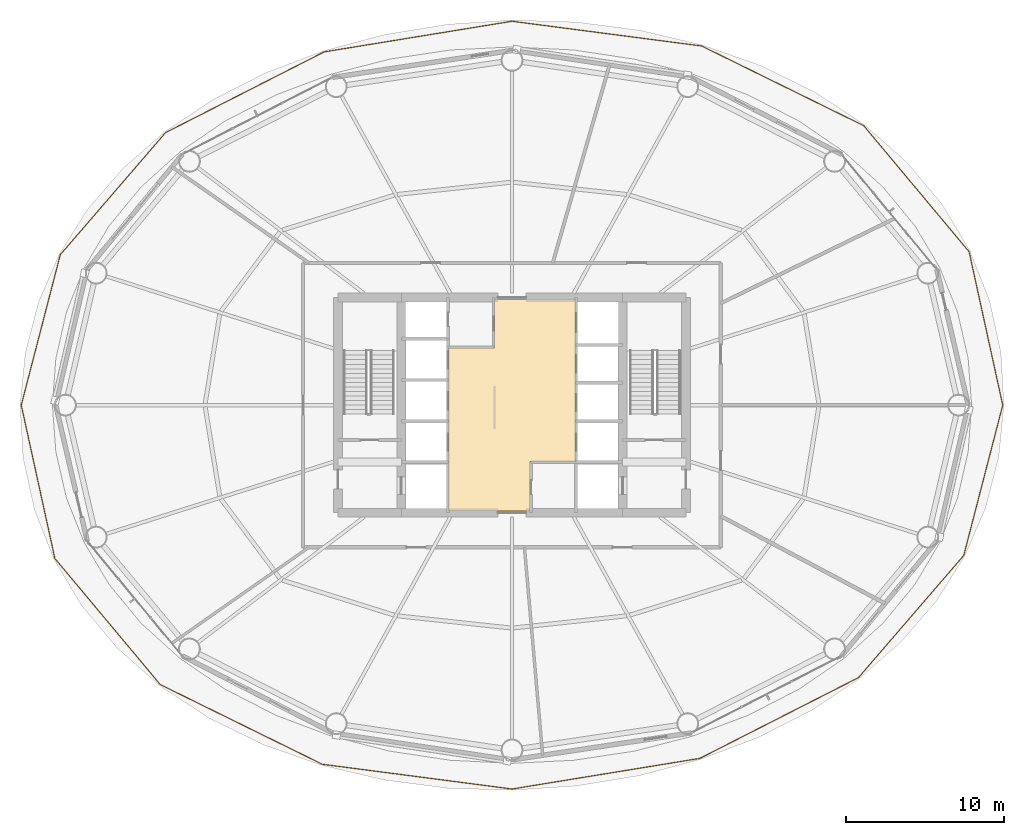
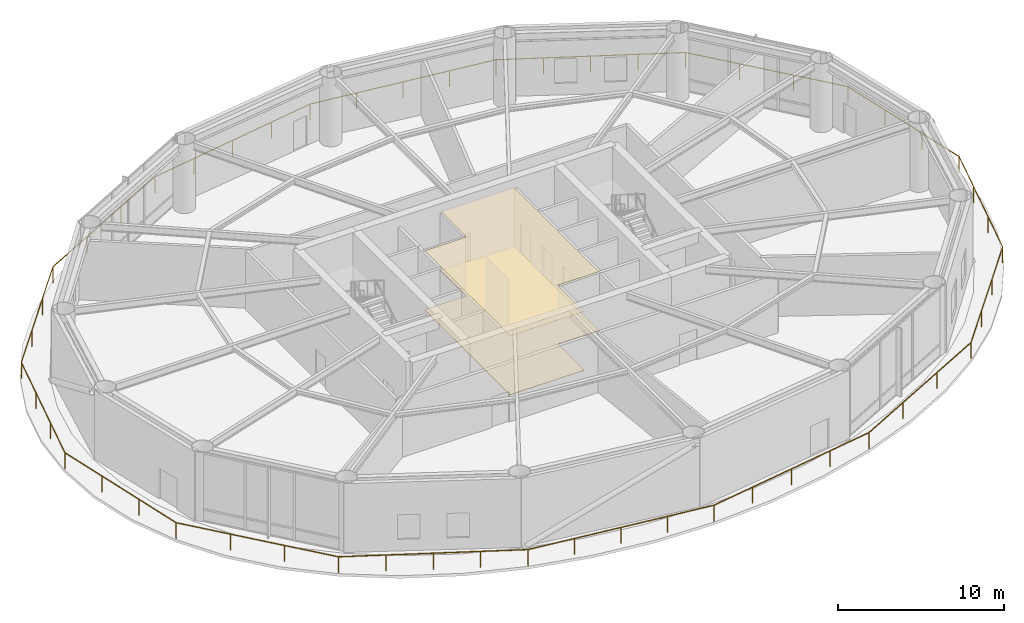
# One storey, part 24 of 25: 2 coverings, 1 railing.
"""IFC4 building model written with IfcOpenShell, lengths in metres."""

from ifc_helpers import new_model, si_unit, direction, frame, origin, origin_2d, place, context, subcontext, project, spatial, polyline, rectangle, outline, extrude, material, layer, layer_set, type_object, element, save


model = new_model("IFC4")

# Units and contexts
model_context = context("Model", 3, precision=1e-05, world=origin(), true_north=direction((0.0, 1.0)))
body_context = subcontext(model_context, "Body", "Model", "MODEL_VIEW")
ifc_project = project(units=[si_unit("LENGTHUNIT", "METRE"), si_unit("AREAUNIT", "SQUARE_METRE"), si_unit("VOLUMEUNIT", "CUBIC_METRE"), si_unit("PLANEANGLEUNIT", "RADIAN"), si_unit("MASSUNIT", "GRAM", prefix="KILO")], contexts=[model_context])

# Site, building, storey
site_placement = place(None, origin())
site = spatial("IfcSite", under=ifc_project, at=site_placement, CompositionType="ELEMENT")
building_placement = place(site_placement, origin())
building = spatial("IfcBuilding", under=site, at=building_placement, Name="Sarneth Arch Tower", CompositionType="ELEMENT")
storey_placement = place(building_placement, frame((0.0, 0.0, 134.39990234375)))
storey = spatial("IfcBuildingStorey", under=building, at=storey_placement, Name="L34", CompositionType="ELEMENT", Elevation=134.39990234375)

# Coverings
ifc_material_1 = material(Name="Perforated acoustic gypsum ceiling board")
ifc_layer_1 = layer(ifc_material_1, 0.02490234375)
ifc_layer_set_1 = layer_set([ifc_layer_1], Name="Perforated acoustic gypsum ceiling board")
covering_type_1 = type_object("IfcCoveringType", Name="COV-CEIL-GYP", PredefinedType="CEILING", material=ifc_layer_set_1)
covering_1_placement = place(storey_placement, frame((0.0, 0.0, 4.320068359375)))
element("IfcCovering", 1, at=covering_1_placement, inside=storey, type_object=covering_type_1, Name="L34 Lift lobby acoustic ceiling", PredefinedType="CEILING", context=body_context, shape_type="SweptSolid", body=[
    extrude(outline(polyline([(49.14990234375, 38.449951171875), (49.14990234375, 35.300048828125), (44.0, 35.300048828125), (44.0, 45.60009765625), (46.89990234375, 45.60009765625), (46.89990234375, 48.699951171875), (52.0, 48.699951171875), (52.0, 38.449951171875), (49.14990234375, 38.449951171875)])), origin(), (0.0, 0.0, 1.0), 0.030029296875),
])
ifc_material_2 = material(Name="Honed granite stone flooring", Category="masonry")
ifc_layer_2 = layer(ifc_material_2, 0.030029296875)
ifc_layer_set_2 = layer_set([ifc_layer_2], Name="Honed granite stone flooring")
covering_type_2 = type_object("IfcCoveringType", Name="COV-FLR-STONE", PredefinedType="FLOORING", material=ifc_layer_set_2)
covering_2_placement = place(storey_placement, origin())
element("IfcCovering", 2, at=covering_2_placement, inside=storey, type_object=covering_type_2, Name="L34 Lift lobby granite flooring", PredefinedType="FLOORING", context=body_context, shape_type="SweptSolid", body=[
    extrude(outline(polyline([(49.14990234375, 38.449951171875), (49.14990234375, 35.300048828125), (44.0, 35.300048828125), (44.0, 45.60009765625), (46.89990234375, 45.60009765625), (46.89990234375, 48.699951171875), (52.0, 48.699951171875), (52.0, 38.449951171875), (49.14990234375, 38.449951171875)])), origin(), (0.0, 0.0, 1.0), 0.030029296875),
])

# Railing
ifc_material_3 = material(Name="Laminated structural glass infill with Stainless Steel 316 top rail and posts", Category="steel")
railing_type = type_object("IfcRailingType", Name="RAIL-BALC-1200", PredefinedType="BALUSTRADE", material=ifc_material_3)
railing_placement = place(storey_placement, frame((79.030029296875, 42.0, 0.0)))
element("IfcRailing", 3, at=railing_placement, inside=storey, type_object=railing_type, Name="L34 Helical balcony glass balustrade", PredefinedType="BALUSTRADE", context=body_context, shape_type="SweptSolid", body=[
    extrude(rectangle(XDim=0.048095703125, YDim=0.048095703125, at=origin_2d()), frame((0.0, 0.0, 1.17578125), z_axis=(-0.214130316097, 0.976805102223, 0.0), x_axis=(-0.976805102223, -0.214130316097, 0.0)), (0.0, 0.0, 1.0), 9.92724609375),
    extrude(rectangle(XDim=0.048095703125, YDim=0.048095703125, at=origin_2d()), frame((-2.125732421875, 9.697021484375, 1.17578125), z_axis=(-0.641339033323, 0.767257612759, 0.0), x_axis=(-0.767257612759, -0.641339033323, 0.0)), (0.0, 0.0, 1.0), 10.392333984375),
    extrude(rectangle(XDim=0.048095703125, YDim=0.048095703125, at=origin_2d()), frame((-8.790771484375, 17.670654296875, 1.17578125), z_axis=(-0.897371484085, 0.441275899581, 0.0), x_axis=(-0.441275899581, -0.897371484085, 0.0)), (0.0, 0.0, 1.0), 11.41650390625),
    extrude(rectangle(XDim=0.048095703125, YDim=0.048095703125, at=origin_2d()), frame((-19.03564453125, 22.70849609375, 1.17578125), z_axis=(-0.991603337189, 0.129316749402, 0.0), x_axis=(-0.129316749402, -0.991603337189, 0.0)), (0.0, 0.0, 1.0), 12.095947265625),
    extrude(rectangle(XDim=0.048095703125, YDim=0.048095703125, at=origin_2d()), frame((-31.030029296875, 24.272705078125, 1.17578125), z_axis=(-0.986971631609, -0.160894370317, 0.0), x_axis=(0.160894370317, -0.986971631609, 0.0)), (0.0, 0.0, 1.0), 12.034423828125),
    extrude(rectangle(XDim=0.048095703125, YDim=0.048095703125, at=origin_2d()), frame((-42.90771484375, 22.33642578125, 1.17578125), z_axis=(-0.891167420802, -0.453674583927, 0.0), x_axis=(0.453674583927, -0.891167420802, 0.0)), (0.0, 0.0, 1.0), 11.255126953125),
    extrude(rectangle(XDim=0.048095703125, YDim=0.048095703125, at=origin_2d()), frame((-52.93798828125, 17.230224609375, 1.17578125), z_axis=(-0.652833983112, -0.757501016827, 0.0), x_axis=(0.757501016827, -0.652833983112, 0.0)), (0.0, 0.0, 1.0), 10.195556640625),
    extrude(rectangle(XDim=0.048095703125, YDim=0.048095703125, at=origin_2d()), frame((-59.593994140625, 9.507080078125, 1.17578125), z_axis=(-0.251082928485, -0.967965579462, 0.0), x_axis=(0.967965579462, -0.251082928485, 0.0)), (0.0, 0.0, 1.0), 9.82177734375),
    extrude(rectangle(XDim=0.048095703125, YDim=0.048095703125, at=origin_2d()), frame((-62.06005859375, 0.0, 1.17578125), z_axis=(0.214130316097, -0.976805102223, 0.0), x_axis=(0.976805102223, 0.214130316097, 0.0)), (0.0, 0.0, 1.0), 9.92724609375),
    extrude(rectangle(XDim=0.048095703125, YDim=0.048095703125, at=origin_2d()), frame((-59.934326171875, -9.697021484375, 1.17578125), z_axis=(0.641339033323, -0.767257612759, 0.0), x_axis=(0.767257612759, 0.641339033323, 0.0)), (0.0, 0.0, 1.0), 10.392333984375),
    extrude(rectangle(XDim=0.048095703125, YDim=0.048095703125, at=origin_2d()), frame((-53.269287109375, -17.670654296875, 1.17578125), z_axis=(0.897371484085, -0.441275899581, 0.0), x_axis=(0.441275899581, 0.897371484085, 0.0)), (0.0, 0.0, 1.0), 11.41650390625),
    extrude(rectangle(XDim=0.048095703125, YDim=0.048095703125, at=origin_2d()), frame((-43.0244140625, -22.70849609375, 1.17578125), z_axis=(0.991603337189, -0.129316749402, 0.0), x_axis=(0.129316749402, 0.991603337189, 0.0)), (0.0, 0.0, 1.0), 12.095947265625),
    extrude(rectangle(XDim=0.048095703125, YDim=0.048095703125, at=origin_2d()), frame((-31.030029296875, -24.272705078125, 1.17578125), z_axis=(0.986971631609, 0.160894370317, 0.0), x_axis=(-0.160894370317, 0.986971631609, 0.0)), (0.0, 0.0, 1.0), 12.034423828125),
    extrude(rectangle(XDim=0.048095703125, YDim=0.048095703125, at=origin_2d()), frame((-19.15234375, -22.33642578125, 1.17578125), z_axis=(0.891167420802, 0.453674583927, 0.0), x_axis=(-0.453674583927, 0.891167420802, 0.0)), (0.0, 0.0, 1.0), 11.255126953125),
    extrude(rectangle(XDim=0.048095703125, YDim=0.048095703125, at=origin_2d()), frame((-9.1220703125, -17.230224609375, 1.17578125), z_axis=(0.652833983112, 0.757501016827, 0.0), x_axis=(-0.757501016827, 0.652833983112, 0.0)), (0.0, 0.0, 1.0), 10.195556640625),
    extrude(rectangle(XDim=0.048095703125, YDim=0.048095703125, at=origin_2d()), frame((-2.466064453125, -9.507080078125, 1.17578125), z_axis=(0.251082928485, 0.967965579462, 0.0), x_axis=(-0.967965579462, 0.251082928485, 0.0)), (0.0, 0.0, 1.0), 9.82177734375),
    extrude(rectangle(XDim=0.0419921875, YDim=0.0419921875, at=origin_2d()), origin(), (0.0, 0.0, 1.0), 1.15185546875),
    extrude(rectangle(XDim=0.0419921875, YDim=0.0419921875, at=origin_2d()), frame((-0.70849609375, 3.232421875, 0.0)), (0.0, 0.0, 1.0), 1.15185546875),
    extrude(rectangle(XDim=0.0419921875, YDim=0.0419921875, at=origin_2d()), frame((-1.417236328125, 6.464599609375, 0.0)), (0.0, 0.0, 1.0), 1.15185546875),
    extrude(rectangle(XDim=0.0419921875, YDim=0.0419921875, at=origin_2d()), frame((-2.125732421875, 9.697021484375, 0.0)), (0.0, 0.0, 1.0), 1.15185546875),
    extrude(rectangle(XDim=0.0419921875, YDim=0.0419921875, at=origin_2d()), frame((-4.347412109375, 12.35498046875, 0.0)), (0.0, 0.0, 1.0), 1.15185546875),
    extrude(rectangle(XDim=0.0419921875, YDim=0.0419921875, at=origin_2d()), frame((-6.569091796875, 15.0126953125, 0.0)), (0.0, 0.0, 1.0), 1.15185546875),
    extrude(rectangle(XDim=0.0419921875, YDim=0.0419921875, at=origin_2d()), frame((-8.790771484375, 17.670654296875, 0.0)), (0.0, 0.0, 1.0), 1.15185546875),
    extrude(rectangle(XDim=0.0419921875, YDim=0.0419921875, at=origin_2d()), frame((-11.35205078125, 18.93017578125, 0.0)), (0.0, 0.0, 1.0), 1.15185546875),
    extrude(rectangle(XDim=0.0419921875, YDim=0.0419921875, at=origin_2d()), frame((-13.9130859375, 20.189453125, 0.0)), (0.0, 0.0, 1.0), 1.15185546875),
    extrude(rectangle(XDim=0.0419921875, YDim=0.0419921875, at=origin_2d()), frame((-16.474365234375, 21.448974609375, 0.0)), (0.0, 0.0, 1.0), 1.15185546875),
    extrude(rectangle(XDim=0.0419921875, YDim=0.0419921875, at=origin_2d()), frame((-19.03564453125, 22.70849609375, 0.0)), (0.0, 0.0, 1.0), 1.15185546875),
    extrude(rectangle(XDim=0.0419921875, YDim=0.0419921875, at=origin_2d()), frame((-22.0341796875, 23.099609375, 0.0)), (0.0, 0.0, 1.0), 1.15185546875),
    extrude(rectangle(XDim=0.0419921875, YDim=0.0419921875, at=origin_2d()), frame((-25.03271484375, 23.49072265625, 0.0)), (0.0, 0.0, 1.0), 1.15185546875),
    extrude(rectangle(XDim=0.0419921875, YDim=0.0419921875, at=origin_2d()), frame((-28.031494140625, 23.881591796875, 0.0)), (0.0, 0.0, 1.0), 1.15185546875),
    extrude(rectangle(XDim=0.0419921875, YDim=0.0419921875, at=origin_2d()), frame((-31.030029296875, 24.272705078125, 0.0)), (0.0, 0.0, 1.0), 1.15185546875),
    extrude(rectangle(XDim=0.0419921875, YDim=0.0419921875, at=origin_2d()), frame((-33.99951171875, 23.78857421875, 0.0)), (0.0, 0.0, 1.0), 1.15185546875),
    extrude(rectangle(XDim=0.0419921875, YDim=0.0419921875, at=origin_2d()), frame((-36.96875, 23.3046875, 0.0)), (0.0, 0.0, 1.0), 1.15185546875),
    extrude(rectangle(XDim=0.0419921875, YDim=0.0419921875, at=origin_2d()), frame((-39.938232421875, 22.820556640625, 0.0)), (0.0, 0.0, 1.0), 1.15185546875),
    extrude(rectangle(XDim=0.0419921875, YDim=0.0419921875, at=origin_2d()), frame((-42.90771484375, 22.33642578125, 0.0)), (0.0, 0.0, 1.0), 1.15185546875),
    extrude(rectangle(XDim=0.0419921875, YDim=0.0419921875, at=origin_2d()), frame((-46.251220703125, 20.63427734375, 0.0)), (0.0, 0.0, 1.0), 1.15185546875),
    extrude(rectangle(XDim=0.0419921875, YDim=0.0419921875, at=origin_2d()), frame((-49.594482421875, 18.932373046875, 0.0)), (0.0, 0.0, 1.0), 1.15185546875),
    extrude(rectangle(XDim=0.0419921875, YDim=0.0419921875, at=origin_2d()), frame((-52.93798828125, 17.230224609375, 0.0)), (0.0, 0.0, 1.0), 1.15185546875),
    extrude(rectangle(XDim=0.0419921875, YDim=0.0419921875, at=origin_2d()), frame((-55.15673828125, 14.65576171875, 0.0)), (0.0, 0.0, 1.0), 1.15185546875),
    extrude(rectangle(XDim=0.0419921875, YDim=0.0419921875, at=origin_2d()), frame((-57.375244140625, 12.08154296875, 0.0)), (0.0, 0.0, 1.0), 1.15185546875),
    extrude(rectangle(XDim=0.0419921875, YDim=0.0419921875, at=origin_2d()), frame((-59.593994140625, 9.507080078125, 0.0)), (0.0, 0.0, 1.0), 1.15185546875),
    extrude(rectangle(XDim=0.0419921875, YDim=0.0419921875, at=origin_2d()), frame((-60.416015625, 6.338134765625, 0.0)), (0.0, 0.0, 1.0), 1.15185546875),
    extrude(rectangle(XDim=0.0419921875, YDim=0.0419921875, at=origin_2d()), frame((-61.238037109375, 3.1689453125, 0.0)), (0.0, 0.0, 1.0), 1.15185546875),
    extrude(rectangle(XDim=0.0419921875, YDim=0.0419921875, at=origin_2d()), frame((-62.06005859375, 0.0, 0.0)), (0.0, 0.0, 1.0), 1.15185546875),
    extrude(rectangle(XDim=0.0419921875, YDim=0.0419921875, at=origin_2d()), frame((-61.3515625, -3.232421875, 0.0)), (0.0, 0.0, 1.0), 1.15185546875),
    extrude(rectangle(XDim=0.0419921875, YDim=0.0419921875, at=origin_2d()), frame((-60.642822265625, -6.464599609375, 0.0)), (0.0, 0.0, 1.0), 1.15185546875),
    extrude(rectangle(XDim=0.0419921875, YDim=0.0419921875, at=origin_2d()), frame((-59.934326171875, -9.697021484375, 0.0)), (0.0, 0.0, 1.0), 1.15185546875),
    extrude(rectangle(XDim=0.0419921875, YDim=0.0419921875, at=origin_2d()), frame((-57.712646484375, -12.35498046875, 0.0)), (0.0, 0.0, 1.0), 1.15185546875),
    extrude(rectangle(XDim=0.0419921875, YDim=0.0419921875, at=origin_2d()), frame((-55.490966796875, -15.0126953125, 0.0)), (0.0, 0.0, 1.0), 1.15185546875),
    extrude(rectangle(XDim=0.0419921875, YDim=0.0419921875, at=origin_2d()), frame((-53.269287109375, -17.670654296875, 0.0)), (0.0, 0.0, 1.0), 1.15185546875),
    extrude(rectangle(XDim=0.0419921875, YDim=0.0419921875, at=origin_2d()), frame((-50.7080078125, -18.93017578125, 0.0)), (0.0, 0.0, 1.0), 1.15185546875),
    extrude(rectangle(XDim=0.0419921875, YDim=0.0419921875, at=origin_2d()), frame((-48.14697265625, -20.189453125, 0.0)), (0.0, 0.0, 1.0), 1.15185546875),
    extrude(rectangle(XDim=0.0419921875, YDim=0.0419921875, at=origin_2d()), frame((-45.585693359375, -21.448974609375, 0.0)), (0.0, 0.0, 1.0), 1.15185546875),
    extrude(rectangle(XDim=0.0419921875, YDim=0.0419921875, at=origin_2d()), frame((-43.0244140625, -22.70849609375, 0.0)), (0.0, 0.0, 1.0), 1.15185546875),
    extrude(rectangle(XDim=0.0419921875, YDim=0.0419921875, at=origin_2d()), frame((-40.02587890625, -23.099609375, 0.0)), (0.0, 0.0, 1.0), 1.15185546875),
    extrude(rectangle(XDim=0.0419921875, YDim=0.0419921875, at=origin_2d()), frame((-37.02734375, -23.49072265625, 0.0)), (0.0, 0.0, 1.0), 1.15185546875),
    extrude(rectangle(XDim=0.0419921875, YDim=0.0419921875, at=origin_2d()), frame((-34.028564453125, -23.881591796875, 0.0)), (0.0, 0.0, 1.0), 1.15185546875),
    extrude(rectangle(XDim=0.0419921875, YDim=0.0419921875, at=origin_2d()), frame((-31.030029296875, -24.272705078125, 0.0)), (0.0, 0.0, 1.0), 1.15185546875),
    extrude(rectangle(XDim=0.0419921875, YDim=0.0419921875, at=origin_2d()), frame((-28.060546875, -23.78857421875, 0.0)), (0.0, 0.0, 1.0), 1.15185546875),
    extrude(rectangle(XDim=0.0419921875, YDim=0.0419921875, at=origin_2d()), frame((-25.09130859375, -23.3046875, 0.0)), (0.0, 0.0, 1.0), 1.15185546875),
    extrude(rectangle(XDim=0.0419921875, YDim=0.0419921875, at=origin_2d()), frame((-22.121826171875, -22.820556640625, 0.0)), (0.0, 0.0, 1.0), 1.15185546875),
    extrude(rectangle(XDim=0.0419921875, YDim=0.0419921875, at=origin_2d()), frame((-19.15234375, -22.33642578125, 0.0)), (0.0, 0.0, 1.0), 1.15185546875),
    extrude(rectangle(XDim=0.0419921875, YDim=0.0419921875, at=origin_2d()), frame((-15.808837890625, -20.63427734375, 0.0)), (0.0, 0.0, 1.0), 1.15185546875),
    extrude(rectangle(XDim=0.0419921875, YDim=0.0419921875, at=origin_2d()), frame((-12.465576171875, -18.932373046875, 0.0)), (0.0, 0.0, 1.0), 1.15185546875),
    extrude(rectangle(XDim=0.0419921875, YDim=0.0419921875, at=origin_2d()), frame((-9.1220703125, -17.230224609375, 0.0)), (0.0, 0.0, 1.0), 1.15185546875),
    extrude(rectangle(XDim=0.0419921875, YDim=0.0419921875, at=origin_2d()), frame((-6.9033203125, -14.65576171875, 0.0)), (0.0, 0.0, 1.0), 1.15185546875),
    extrude(rectangle(XDim=0.0419921875, YDim=0.0419921875, at=origin_2d()), frame((-4.684814453125, -12.08154296875, 0.0)), (0.0, 0.0, 1.0), 1.15185546875),
    extrude(rectangle(XDim=0.0419921875, YDim=0.0419921875, at=origin_2d()), frame((-2.466064453125, -9.507080078125, 0.0)), (0.0, 0.0, 1.0), 1.15185546875),
    extrude(rectangle(XDim=0.0419921875, YDim=0.0419921875, at=origin_2d()), frame((-1.64404296875, -6.338134765625, 0.0)), (0.0, 0.0, 1.0), 1.15185546875),
    extrude(rectangle(XDim=0.0419921875, YDim=0.0419921875, at=origin_2d()), frame((-0.822021484375, -3.1689453125, 0.0)), (0.0, 0.0, 1.0), 1.15185546875),
])

save(model, "model.ifc")
